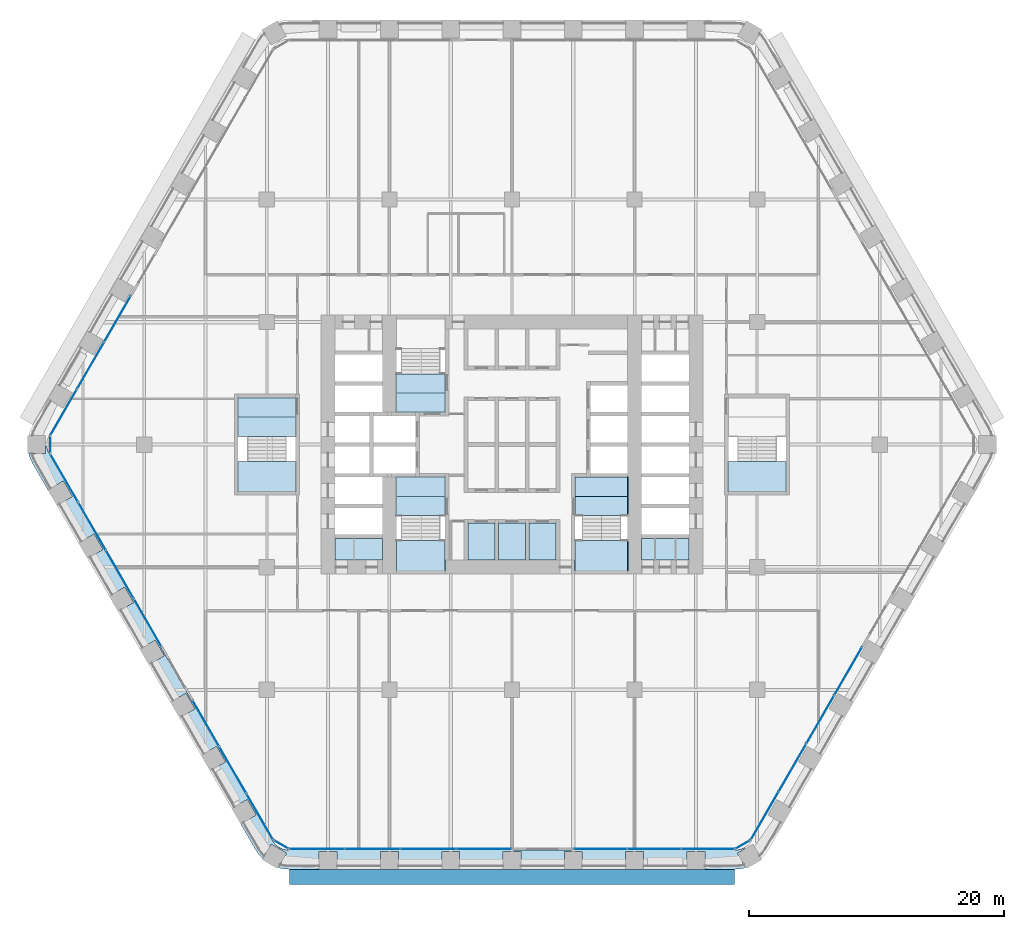
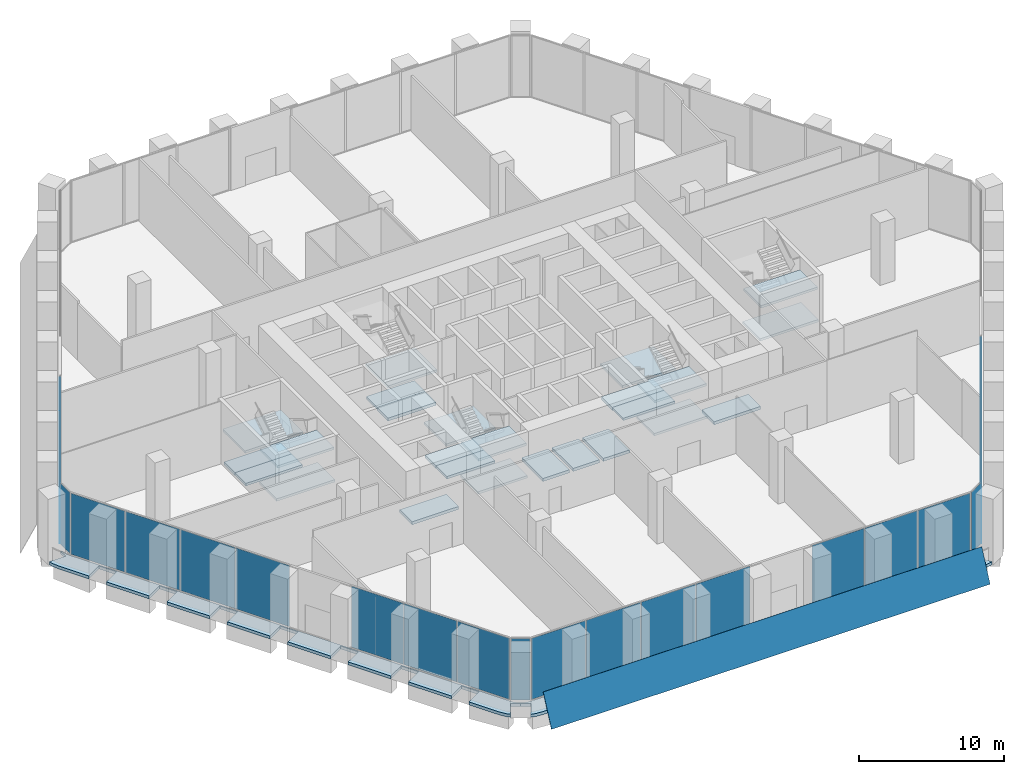
# One storey, part 15 of 27: 27 slabs, 25 plates, 14 elements without a shape of their own.
"""IFC4 building model written with IfcOpenShell, lengths in metres."""

import ifcopenshell
import ifcopenshell.guid

model = None  # the IFC model being written
_history = None  # IfcOwnerHistory: only IFC2X3 demands one
_inside = {}  # id of a spatial element -> (the spatial element, [elements in it])
_under = {}  # id of a project, library or spatial element -> (it, [spatial elements below it])
_declared = {}  # id of a project -> (the project, [libraries it declares])
_typed = {}  # id of a type object -> (the type object, [elements of that type])
_made_of = {}  # id of a material, layer set ... -> (it, [elements and type objects made of it])


def new_model(schema):
    """Start an empty IFC model of exactly this schema.

    Asked for "IFC4X3", IfcOpenShell would pick the latest addendum, in which some entities
    have other attributes; the version numbers below select the first issue.
    IFC2X3 requires an IfcOwnerHistory on every rooted entity: one is made here for all.
    """
    global model, _history
    if schema == "IFC4X3":
        model = ifcopenshell.file(schema_version=(4, 3, 0, 0))
    else:
        model = ifcopenshell.file(schema=schema)
    _inside.clear()
    _under.clear()
    _declared.clear()
    _typed.clear()
    _made_of.clear()
    _history = None
    if model.schema == "IFC2X3":
        org = make("IfcOrganization", Name="unknown")
        user = make(
            "IfcPersonAndOrganization",
            ThePerson=make("IfcPerson", FamilyName="unknown"),
            TheOrganization=org,
        )
        app = make(
            "IfcApplication",
            ApplicationDeveloper=org,
            Version="unknown",
            ApplicationFullName="unknown",
            ApplicationIdentifier="unknown",
        )
        _history = make(
            "IfcOwnerHistory",
            OwningUser=user,
            OwningApplication=app,
            ChangeAction="ADDED",
            CreationDate=0,
        )
    return model


def make(cls, **values):
    """One entity of the class cls with the attributes given. An attribute that is None is left unset."""
    return model.create_entity(
        cls, **{name: value for name, value in values.items() if value is not None}
    )


def rooted(cls, **values):
    """An entity with a GlobalId (a new one), such as an element, a storey or a relation."""
    return make(cls, GlobalId=ifcopenshell.guid.new(), OwnerHistory=_history, **values)


def si_unit(unit_type, name, prefix=None):
    """IfcSIUnit, for example si_unit("LENGTHUNIT", "METRE", prefix="MILLI")."""
    return make("IfcSIUnit", UnitType=unit_type, Prefix=prefix, Name=name)


def assignment(units):
    """IfcUnitAssignment: the units of a project."""
    return None if units is None else make("IfcUnitAssignment", Units=units)


def point(xyz):
    """IfcCartesianPoint."""
    return None if xyz is None else make("IfcCartesianPoint", Coordinates=xyz)


def direction(xyz):
    """IfcDirection."""
    return None if xyz is None else make("IfcDirection", DirectionRatios=xyz)


def frame(location, z_axis=None, x_axis=None):
    """IfcAxis2Placement3D, a coordinate frame: its origin and axes. An axis left out is left unset."""
    return make(
        "IfcAxis2Placement3D",
        Location=point(location),
        Axis=direction(z_axis),
        RefDirection=direction(x_axis),
    )


def frame_2d(location, x_axis=None):
    """IfcAxis2Placement2D, a coordinate frame in the plane: its origin and x axis."""
    return make(
        "IfcAxis2Placement2D", Location=point(location), RefDirection=direction(x_axis)
    )


def origin():
    """The frame at (0, 0, 0) with its axes left unset."""
    return frame((0.0, 0.0, 0.0))


def origin_2d():
    """The frame at (0, 0) in the plane with its x axis left unset."""
    return frame_2d((0.0, 0.0))


def place(relative_to, where):
    """IfcLocalPlacement: puts the frame where relative to a parent placement (None: the world)."""
    return make(
        "IfcLocalPlacement", PlacementRelTo=relative_to, RelativePlacement=where
    )


def context(
    kind, dimensions, precision=None, world=None, true_north=None, identifier=None
):
    """IfcGeometricRepresentationContext, for example the 3D "Model" context."""
    return make(
        "IfcGeometricRepresentationContext",
        ContextIdentifier=identifier,
        ContextType=kind,
        CoordinateSpaceDimension=dimensions,
        Precision=precision,
        WorldCoordinateSystem=world,
        TrueNorth=true_north,
    )


def subcontext(parent, identifier, kind, view, scale=None):
    """IfcGeometricRepresentationSubContext, for example "Body" below "Model"."""
    return make(
        "IfcGeometricRepresentationSubContext",
        ContextIdentifier=identifier,
        ContextType=kind,
        ParentContext=parent,
        TargetScale=scale,
        TargetView=view,
    )


def project(units=None, contexts=None):
    """IfcProject with its units and contexts."""
    return rooted(
        "IfcProject",
        Name="project",
        RepresentationContexts=contexts,
        UnitsInContext=assignment(units),
    )


def spatial(cls, under=None, at=None, **own):
    """A site, building, storey or space (cls), placed at a placement, below another one or the project."""
    s = rooted(cls, ObjectPlacement=at, **own)
    if under is not None:
        _under.setdefault(under.id(), (under, []))[1].append(s)
    return s


def polyline(points):
    """IfcPolyline through the points."""
    return make("IfcPolyline", Points=[point(p) for p in points])


def profile(cls, at=None, kind="AREA", **sizes):
    """A parametric profile (cls). Its sizes go by their IFC names, for example OverallWidth=200.0."""
    return make(cls, ProfileType=kind, Position=at, **sizes)


def rectangle(**sizes):
    """IfcRectangleProfileDef."""
    return profile("IfcRectangleProfileDef", **sizes)


def outline(outer, holes=None, kind="AREA"):
    """IfcArbitraryClosedProfileDef: a profile drawn as a closed curve; with holes, ...WithVoids."""
    if holes is None:
        return make("IfcArbitraryClosedProfileDef", ProfileType=kind, OuterCurve=outer)
    return make(
        "IfcArbitraryProfileDefWithVoids",
        ProfileType=kind,
        OuterCurve=outer,
        InnerCurves=holes,
    )


def extrude(swept, where, along, depth):
    """IfcExtrudedAreaSolid: the profile swept, set in the frame where, extruded along a direction by depth."""
    return make(
        "IfcExtrudedAreaSolid",
        SweptArea=swept,
        Position=where,
        ExtrudedDirection=direction(along),
        Depth=depth,
    )


def shape(context_of_items, identifier, shape_type, items):
    """IfcShapeRepresentation: the items that make up one representation, for example the "Body"."""
    return make(
        "IfcShapeRepresentation",
        ContextOfItems=context_of_items,
        RepresentationIdentifier=identifier,
        RepresentationType=shape_type,
        Items=items,
    )


def material(Name=None, Category=None):
    """IfcMaterial."""
    return make("IfcMaterial", Name=Name, Category=Category)


def layer(
    of_material, thickness, ventilated=None, Name=None, Category=None, Priority=None
):
    """IfcMaterialLayer: one layer of a wall or slab, of a material (None: an air gap)."""
    return make(
        "IfcMaterialLayer",
        Material=of_material,
        LayerThickness=thickness,
        IsVentilated=ventilated,
        Name=Name,
        Category=Category,
        Priority=Priority,
    )


def layer_set(layers, Name=None):
    """IfcMaterialLayerSet."""
    return make("IfcMaterialLayerSet", MaterialLayers=layers, LayerSetName=Name)


def made_of(thing, what):
    """Note that an element or type object is made of a material, layer set ...; save() writes the relation."""
    if what is not None:
        _made_of.setdefault(what.id(), (what, []))[1].append(thing)
    return thing


def type_object(cls, material=None, **own):
    """A type object (cls), such as IfcWallType, which elements share."""
    return made_of(rooted(cls, **own), material)


def element(
    cls,
    number,
    at=None,
    inside=None,
    cuts=None,
    type_object=None,
    material=None,
    context=None,
    identifier="Body",
    shape_type=None,
    held_by="IfcProductDefinitionShape",
    body=None,
    shapes=None,
    **own,
):
    """One element of the class cls, such as IfcWall. Its Tag is "e" and its number.

    at: its placement. inside: the storey or other place that contains it. cuts: it is an
    opening in that element (IfcRelVoidsElement). A single representation is given by context,
    identifier, shape_type and body (its items); several are given by shapes. held_by: the class
    of the entity that holds the representations. save() writes the other relations.
    """
    e = rooted(cls, Tag="e%d" % number, ObjectPlacement=at, **own)
    if body is not None:
        shapes = [shape(context, identifier, shape_type, body)]
    if shapes is not None:
        e.Representation = make(held_by, Representations=shapes)
    if inside is not None:
        _inside.setdefault(inside.id(), (inside, []))[1].append(e)
    if cuts is not None:
        rooted(
            "IfcRelVoidsElement", RelatingBuildingElement=cuts, RelatedOpeningElement=e
        )
    if type_object is not None:
        _typed.setdefault(type_object.id(), (type_object, []))[1].append(e)
    return made_of(e, material)


def aggregate(whole, parts):
    """IfcRelAggregates: a whole, such as a stair, and the parts it consists of."""
    return rooted("IfcRelAggregates", RelatingObject=whole, RelatedObjects=parts)


def save(model, path):
    """Write the relations noted so far, then the file.

    IfcRelAggregates (storeys below a building ...), IfcRelContainedInSpatialStructure (elements
    in a storey), IfcRelDefinesByType, IfcRelAssociatesMaterial and IfcRelDeclares: one each for
    every whole, place, type object, material and project.
    """
    for whole, parts in _under.values():
        aggregate(whole, parts)
    for where, things in _inside.values():
        rooted(
            "IfcRelContainedInSpatialStructure",
            RelatedElements=things,
            RelatingStructure=where,
        )
    for kind, things in _typed.values():
        rooted("IfcRelDefinesByType", RelatedObjects=things, RelatingType=kind)
    for what, things in _made_of.values():
        rooted("IfcRelAssociatesMaterial", RelatedObjects=things, RelatingMaterial=what)
    for by, libraries in _declared.values():
        rooted("IfcRelDeclares", RelatingContext=by, RelatedDefinitions=libraries)
    model.write(path)


model = new_model("IFC4")

# Units and contexts
model_context = context("Model", 3, precision=1e-05, world=origin(), true_north=direction((0.0, 1.0)))
body_context = subcontext(model_context, "Body", "Model", "MODEL_VIEW")
ifc_project = project(units=[si_unit("LENGTHUNIT", "METRE"), si_unit("AREAUNIT", "SQUARE_METRE"), si_unit("VOLUMEUNIT", "CUBIC_METRE"), si_unit("PLANEANGLEUNIT", "RADIAN"), si_unit("MASSUNIT", "GRAM", prefix="KILO")], contexts=[model_context])

# Site, building, storey
site_placement = place(None, origin())
site = spatial("IfcSite", under=ifc_project, at=site_placement, CompositionType="ELEMENT")
building_placement = place(site_placement, origin())
building = spatial("IfcBuilding", under=site, at=building_placement, Name="Kolab Exchange Tower", CompositionType="ELEMENT")
storey_placement = place(building_placement, frame((0.0, 0.0, 49.89990234375)))
storey = spatial("IfcBuildingStorey", under=building, at=storey_placement, Name="L09", CompositionType="ELEMENT", Elevation=49.89990234375)

# Slabs
ifc_material_1 = material(Name="Concrete C35/45", Category="concrete")
ifc_layer_1 = layer(ifc_material_1, 0.25)
ifc_layer_set_1 = layer_set([ifc_layer_1], Name="Concrete C35/45")
slab_type_1 = type_object("IfcSlabType", Name="FLOOR SLAB 250", PredefinedType="FLOOR", material=ifc_layer_set_1)
slab_1_placement = place(storey_placement, frame((0.0, 0.0, -0.25)))
element("IfcSlab", 1, at=slab_1_placement, inside=storey, type_object=slab_type_1, Name="slab/L09/floor/8", PredefinedType="FLOOR", context=body_context, shape_type="SweptSolid", body=[
    extrude(outline(polyline([(-21.449951171875, 3.64990234375), (-21.449951171875, 2.14990234375), (-16.949951171875, 2.14990234375), (-16.949951171875, 3.64990234375), (-21.449951171875, 3.64990234375)])), origin(), (0.0, 0.0, 1.0), 0.25),
])
slab_2_placement = place(storey_placement, frame((0.0, 0.0, -0.25)))
element("IfcSlab", 2, at=slab_2_placement, inside=storey, type_object=slab_type_1, Name="slab/L09/floor/10", PredefinedType="FLOOR", context=body_context, shape_type="SweptSolid", body=[
    extrude(outline(polyline([(-10.14990234375, -9.050048828125), (-10.14990234375, -7.35009765625), (-13.85009765625, -7.35009765625), (-13.85009765625, -9.050048828125), (-10.14990234375, -9.050048828125)])), origin(), (0.0, 0.0, 1.0), 0.25),
])
slab_3_placement = place(storey_placement, frame((0.0, 0.0, -0.25)))
element("IfcSlab", 3, at=slab_3_placement, inside=storey, type_object=slab_type_1, Name="slab/L09/floor/12", PredefinedType="FLOOR", context=body_context, shape_type="SweptSolid", body=[
    extrude(outline(polyline([(10.14990234375, -7.35009765625), (10.14990234375, -9.050048828125), (13.85009765625, -9.050048828125), (13.85009765625, -7.35009765625), (10.14990234375, -7.35009765625)])), origin(), (0.0, 0.0, 1.0), 0.25),
])
slab_4_placement = place(storey_placement, frame((0.0, 0.0, -0.25)))
element("IfcSlab", 4, at=slab_4_placement, inside=storey, type_object=slab_type_1, Name="slab/L09/floor/14", PredefinedType="FLOOR", context=body_context, shape_type="SweptSolid", body=[
    extrude(outline(polyline([(9.050048828125, -4.050048828125), (9.050048828125, -2.550048828125), (6.14990234375, -2.550048828125), (5.85009765625, -2.550048828125), (4.949951171875, -2.550048828125), (4.949951171875, -4.050048828125), (9.050048828125, -4.050048828125)])), origin(), (0.0, 0.0, 1.0), 0.25),
])
slab_5_placement = place(storey_placement, frame((0.0, 0.0, -0.25)))
element("IfcSlab", 5, at=slab_5_placement, inside=storey, type_object=slab_type_1, Name="slab/L09/floor/15", PredefinedType="FLOOR", context=body_context, shape_type="SweptSolid", body=[
    extrude(outline(polyline([(1.050048828125, -6.14990234375), (-1.050048828125, -6.14990234375), (-1.050048828125, -9.050048828125), (1.050048828125, -9.050048828125), (1.050048828125, -6.14990234375)])), origin(), (0.0, 0.0, 1.0), 0.25),
])
slab_6_placement = place(storey_placement, frame((0.0, 0.0, -0.25)))
element("IfcSlab", 6, at=slab_6_placement, inside=storey, type_object=slab_type_1, Name="slab/L09/floor/17", PredefinedType="FLOOR", context=body_context, shape_type="SweptSolid", body=[
    extrude(outline(polyline([(-1.35009765625, -6.14990234375), (-3.449951171875, -6.14990234375), (-3.449951171875, -9.050048828125), (-1.35009765625, -9.050048828125), (-1.35009765625, -6.14990234375)])), origin(), (0.0, 0.0, 1.0), 0.25),
])
slab_7_placement = place(storey_placement, frame((0.0, 0.0, -0.25)))
element("IfcSlab", 7, at=slab_7_placement, inside=storey, type_object=slab_type_1, Name="slab/L09/floor/19", PredefinedType="FLOOR", context=body_context, shape_type="SweptSolid", body=[
    extrude(outline(polyline([(1.35009765625, -6.14990234375), (1.35009765625, -9.050048828125), (3.449951171875, -9.050048828125), (3.449951171875, -6.14990234375), (1.35009765625, -6.14990234375)])), origin(), (0.0, 0.0, 1.0), 0.25),
])
slab_8_placement = place(storey_placement, frame((0.0, 0.0, -0.25)))
element("IfcSlab", 8, at=slab_8_placement, inside=storey, type_object=slab_type_1, Name="slab/L09/floor/21", PredefinedType="FLOOR", context=body_context, shape_type="SweptSolid", body=[
    extrude(outline(polyline([(-9.050048828125, -4.050048828125), (-5.25, -4.050048828125), (-5.25, -2.550048828125), (-7.25, -2.550048828125), (-7.550048828125, -2.550048828125), (-9.050048828125, -2.550048828125), (-9.050048828125, -4.050048828125)])), origin(), (0.0, 0.0, 1.0), 0.25),
])
slab_9_placement = place(storey_placement, frame((0.0, 0.0, -0.25)))
element("IfcSlab", 9, at=slab_9_placement, inside=storey, type_object=slab_type_1, Name="slab/L09/floor/22", PredefinedType="FLOOR", context=body_context, shape_type="SweptSolid", body=[
    extrude(outline(polyline([(-5.25, 4.050048828125), (-9.050048828125, 4.050048828125), (-9.050048828125, 2.550048828125), (-7.550048828125, 2.550048828125), (-7.25, 2.550048828125), (-5.25, 2.550048828125), (-5.25, 4.050048828125)])), origin(), (0.0, 0.0, 1.0), 0.25),
])
ifc_layer_2 = layer(ifc_material_1, 0.25)
ifc_layer_set_2 = layer_set([ifc_layer_2], Name="Concrete C35/45")
slab_type_2 = type_object("IfcSlabType", Name="LOGGIA SLAB 250", PredefinedType="FLOOR", material=ifc_layer_set_2)
slab_10_placement = place(storey_placement, frame((0.0, 0.0, -0.25)))
element("IfcSlab", 10, at=slab_10_placement, inside=storey, type_object=slab_type_2, Name="slab/L09/loggia/3-0", PredefinedType="FLOOR", context=body_context, shape_type="SweptSolid", body=[
    extrude(outline(polyline([(-18.218017578125, -31.554443359375), (-18.26806640625, -31.64111328125), (-17.66162109375, -31.990966796875), (-18.31494140625, -33.122314453125), (-17.989013671875, -33.209716796875), (-17.468017578125, -33.25537109375), (-15.10009765625, -33.25537109375), (-15.10009765625, -31.85546875), (-13.699951171875, -31.85546875), (-13.699951171875, -33.25537109375), (-10.300048828125, -33.25537109375), (-10.300048828125, -31.85546875), (-8.89990234375, -31.85546875), (-8.89990234375, -33.25537109375), (-5.5, -33.25537109375), (-5.5, -31.85546875), (-4.10009765625, -31.85546875), (-4.10009765625, -33.25537109375), (-0.699951171875, -33.25537109375), (-0.699951171875, -31.85546875), (0.699951171875, -31.85546875), (0.699951171875, -33.25537109375), (4.10009765625, -33.25537109375), (4.10009765625, -31.85546875), (5.5, -31.85546875), (5.5, -33.25537109375), (8.89990234375, -33.25537109375), (8.89990234375, -31.85546875), (10.300048828125, -31.85546875), (10.300048828125, -33.25537109375), (13.699951171875, -33.25537109375), (13.699951171875, -31.85546875), (15.10009765625, -31.85546875), (15.10009765625, -33.25537109375), (17.468017578125, -33.25537109375), (17.989013671875, -33.209716796875), (18.31494140625, -33.122314453125), (17.66162109375, -31.990966796875), (18.26806640625, -31.64111328125), (18.218017578125, -31.554443359375), (17.98095703125, -31.664794921875), (17.728515625, -31.732666015625), (17.468017578125, -31.75537109375), (-17.468017578125, -31.75537109375), (-17.728515625, -31.732666015625), (-17.98095703125, -31.664794921875), (-18.218017578125, -31.554443359375)])), origin(), (0.0, 0.0, 1.0), 0.25),
])
slab_11_placement = place(storey_placement, frame((0.0, 0.0, -0.25)))
element("IfcSlab", 11, at=slab_11_placement, inside=storey, type_object=slab_type_2, Name="slab/L09/loggia/4-0", PredefinedType="FLOOR", context=body_context, shape_type="SweptSolid", body=[
    extrude(outline(polyline([(-36.435791015625, 0.0), (-36.535888671875, 0.0), (-36.535888671875, -0.699951171875), (-37.84228515625, -0.699951171875), (-37.7548828125, -1.026123046875), (-37.533935546875, -1.5), (-36.35009765625, -3.55078125), (-35.137451171875, -2.8505859375), (-34.4375, -4.063232421875), (-35.64990234375, -4.76318359375), (-33.949951171875, -7.70751953125), (-32.737548828125, -7.007568359375), (-32.03759765625, -8.219970703125), (-33.25, -8.920166015625), (-31.550048828125, -11.864501953125), (-30.337646484375, -11.16455078125), (-29.637451171875, -12.376953125), (-30.85009765625, -13.076904296875), (-29.14990234375, -16.021484375), (-27.9375, -15.321533203125), (-27.237548828125, -16.533935546875), (-28.449951171875, -17.23388671875), (-26.75, -20.178466796875), (-25.53759765625, -19.478271484375), (-24.837646484375, -20.69091796875), (-26.050048828125, -21.390869140625), (-24.35009765625, -24.335205078125), (-23.137451171875, -23.63525390625), (-22.4375, -24.84765625), (-23.64990234375, -25.5478515625), (-21.949951171875, -28.4921875), (-20.737548828125, -27.792236328125), (-20.03759765625, -29.004638671875), (-21.25, -29.70458984375), (-20.06591796875, -31.75537109375), (-19.76611328125, -32.183837890625), (-19.52734375, -32.42236328125), (-18.874267578125, -31.291015625), (-18.26806640625, -31.64111328125), (-18.218017578125, -31.554443359375), (-18.43212890625, -31.404541015625), (-18.616943359375, -31.219482421875), (-18.76708984375, -31.00537109375), (-36.23486328125, -0.75), (-36.345458984375, -0.512939453125), (-36.4130859375, -0.260498046875), (-36.435791015625, 0.0)])), origin(), (0.0, 0.0, 1.0), 0.25),
])

# Plate
ifc_material_2 = material(Name="Laminated glass, clear", Category="glass")
ifc_layer_3 = layer(ifc_material_2, 0.0400390625)
ifc_layer_set_3 = layer_set([ifc_layer_3], Name="Laminated glass, clear")
plate_type_1 = type_object("IfcPlateType", Name="OUTER SKIN LAMINATED GLASS SHEET 40", PredefinedType="SHEET", material=ifc_layer_set_3)
plate_1_placement = place(storey_placement, frame((17.41796875, -34.435302734375, -0.782958984375), z_axis=(0.0, -0.906309875243, 0.422613783538), x_axis=(-1.0, 0.0, 0.0)))
element("IfcPlate", 12, at=plate_1_placement, inside=storey, type_object=plate_type_1, Name="Outer skin", PredefinedType="SHEET", context=body_context, shape_type="SweptSolid", body=[
    extrude(outline(polyline([(0.0, 0.0), (34.8359375, 0.0), (34.8359375, -2.7059095846952848), (0.0, -2.7059095846952848), (0.0, 0.0)])), origin(), (0.0, 0.0, -1.0), 0.0400390625),
])

# Stair, slabs
ifc_material_3 = material(Name="Concrete C50/60", Category="concrete")
stair_type_1 = type_object("IfcStairType", Name="STAIR ST1 RISER 171.9", PredefinedType="DOUBLE_RETURN_STAIR", material=ifc_material_3)
stair_1_placement = place(storey_placement, origin())
stair_1 = element("IfcStair", 13, at=stair_1_placement, inside=storey, type_object=stair_type_1, Name="Stair 1", PredefinedType="DOUBLE_RETURN_STAIR")
ifc_layer_4 = layer(ifc_material_3, 0.199951171875)
ifc_layer_set_4 = layer_set([ifc_layer_4], Name="Concrete C50/60")
slab_type_3 = type_object("IfcSlabType", Name="STAIR LANDING 200", PredefinedType="LANDING", material=ifc_layer_set_4)
slab_12_placement = place(storey_placement, frame((0.0, 0.0, -0.199951171875)))
slab_12 = element("IfcSlab", 14, at=slab_12_placement, type_object=slab_type_3, Name="ST1 landing 1", PredefinedType="LANDING", context=body_context, shape_type="SweptSolid", body=[
    extrude(outline(polyline([(-9.050048828125, 4.050048828125), (-5.25, 4.050048828125), (-5.25, 5.550048828125), (-9.050048828125, 5.550048828125), (-9.050048828125, 4.050048828125)])), origin(), (0.0, 0.0, 1.0), 0.199951171875),
])
slab_13_placement = place(storey_placement, frame((0.0, 0.0, 2.550048828125)))
slab_13 = element("IfcSlab", 15, at=slab_13_placement, type_object=slab_type_3, Name="ST1 landing 3", PredefinedType="LANDING", context=body_context, shape_type="SweptSolid", body=[
    extrude(outline(polyline([(-9.110107421875, 2.489990234375), (-5.18994140625, 2.489990234375), (-5.18994140625, 5.550048828125), (-9.110107421875, 5.550048828125), (-9.110107421875, 2.489990234375)])), origin(), (0.0, 0.0, 1.0), 0.199951171875),
])
aggregate(stair_1, [slab_12, slab_13])

stair_type_2 = type_object("IfcStairType", Name="STAIR ST3 RISER 171.9", PredefinedType="DOUBLE_RETURN_STAIR", material=ifc_material_3)
stair_2_placement = place(storey_placement, origin())
stair_2 = element("IfcStair", 16, at=stair_2_placement, inside=storey, type_object=stair_type_2, Name="Stair 3", PredefinedType="DOUBLE_RETURN_STAIR")
slab_14_placement = place(storey_placement, frame((0.0, 0.0, -0.199951171875)))
slab_14 = element("IfcSlab", 17, at=slab_14_placement, type_object=slab_type_3, Name="ST3 landing 1", PredefinedType="LANDING", context=body_context, shape_type="SweptSolid", body=[
    extrude(outline(polyline([(-9.050048828125, -5.550048828125), (-5.25, -5.550048828125), (-5.25, -4.050048828125), (-9.050048828125, -4.050048828125), (-9.050048828125, -5.550048828125)])), origin(), (0.0, 0.0, 1.0), 0.199951171875),
])
slab_15_placement = place(storey_placement, frame((0.0, 0.0, 1.175048828125)))
slab_15 = element("IfcSlab", 18, at=slab_15_placement, type_object=slab_type_3, Name="ST3 landing 2", PredefinedType="LANDING", context=body_context, shape_type="SweptSolid", body=[
    extrude(outline(polyline([(-9.110107421875, -9.909912109375), (-5.18994140625, -9.909912109375), (-5.18994140625, -7.510009765625), (-9.110107421875, -7.510009765625), (-9.110107421875, -9.909912109375)])), origin(), (0.0, 0.0, 1.0), 0.199951171875),
])
slab_16_placement = place(storey_placement, frame((0.0, 0.0, 2.550048828125)))
slab_16 = element("IfcSlab", 19, at=slab_16_placement, type_object=slab_type_3, Name="ST3 landing 3", PredefinedType="LANDING", context=body_context, shape_type="SweptSolid", body=[
    extrude(outline(polyline([(-9.110107421875, -5.550048828125), (-5.18994140625, -5.550048828125), (-5.18994140625, -2.489990234375), (-9.110107421875, -2.489990234375), (-9.110107421875, -5.550048828125)])), origin(), (0.0, 0.0, 1.0), 0.199951171875),
])
slab_17_placement = place(storey_placement, frame((0.0, 0.0, 3.925048828125)))
slab_17 = element("IfcSlab", 20, at=slab_17_placement, type_object=slab_type_3, Name="ST3 landing 4", PredefinedType="LANDING", context=body_context, shape_type="SweptSolid", body=[
    extrude(outline(polyline([(-9.050048828125, -9.909912109375), (-5.25, -9.909912109375), (-5.25, -7.510009765625), (-9.050048828125, -7.510009765625), (-9.050048828125, -9.909912109375)])), origin(), (0.0, 0.0, 1.0), 0.199951171875),
])
aggregate(stair_2, [slab_14, slab_15, slab_16, slab_17])

stair_type_3 = type_object("IfcStairType", Name="STAIR ST2 RISER 171.9", PredefinedType="DOUBLE_RETURN_STAIR", material=ifc_material_3)
stair_3_placement = place(storey_placement, origin())
stair_3 = element("IfcStair", 21, at=stair_3_placement, inside=storey, type_object=stair_type_3, Name="Stair 2", PredefinedType="DOUBLE_RETURN_STAIR")
slab_18_placement = place(storey_placement, frame((0.0, 0.0, -0.199951171875)))
slab_18 = element("IfcSlab", 22, at=slab_18_placement, type_object=slab_type_3, Name="ST2 landing 1", PredefinedType="LANDING", context=body_context, shape_type="SweptSolid", body=[
    extrude(outline(polyline([(4.949951171875, -5.550048828125), (9.050048828125, -5.550048828125), (9.050048828125, -4.050048828125), (4.949951171875, -4.050048828125), (4.949951171875, -5.550048828125)])), origin(), (0.0, 0.0, 1.0), 0.199951171875),
])
slab_19_placement = place(storey_placement, frame((0.0, 0.0, 1.175048828125)))
slab_19 = element("IfcSlab", 23, at=slab_19_placement, type_object=slab_type_3, Name="ST2 landing 2", PredefinedType="LANDING", context=body_context, shape_type="SweptSolid", body=[
    extrude(outline(polyline([(4.889892578125, -9.909912109375), (9.110107421875, -9.909912109375), (9.110107421875, -7.510009765625), (4.889892578125, -7.510009765625), (4.889892578125, -9.909912109375)])), origin(), (0.0, 0.0, 1.0), 0.199951171875),
])
slab_20_placement = place(storey_placement, frame((0.0, 0.0, 2.550048828125)))
slab_20 = element("IfcSlab", 24, at=slab_20_placement, type_object=slab_type_3, Name="ST2 landing 3", PredefinedType="LANDING", context=body_context, shape_type="SweptSolid", body=[
    extrude(outline(polyline([(4.889892578125, -5.550048828125), (9.110107421875, -5.550048828125), (9.110107421875, -2.489990234375), (4.889892578125, -2.489990234375), (4.889892578125, -5.550048828125)])), origin(), (0.0, 0.0, 1.0), 0.199951171875),
])
slab_21_placement = place(storey_placement, frame((0.0, 0.0, 3.925048828125)))
slab_21 = element("IfcSlab", 25, at=slab_21_placement, type_object=slab_type_3, Name="ST2 landing 4", PredefinedType="LANDING", context=body_context, shape_type="SweptSolid", body=[
    extrude(outline(polyline([(4.949951171875, -9.909912109375), (9.050048828125, -9.909912109375), (9.050048828125, -7.510009765625), (4.949951171875, -7.510009765625), (4.949951171875, -9.909912109375)])), origin(), (0.0, 0.0, 1.0), 0.199951171875),
])
aggregate(stair_3, [slab_18, slab_19, slab_20, slab_21])

stair_type_4 = type_object("IfcStairType", Name="STAIR ST4 RISER 171.9", PredefinedType="DOUBLE_RETURN_STAIR", material=ifc_material_3)
stair_4_placement = place(storey_placement, origin())
stair_4 = element("IfcStair", 26, at=stair_4_placement, inside=storey, type_object=stair_type_4, Name="Stair 4", PredefinedType="DOUBLE_RETURN_STAIR")
slab_22_placement = place(storey_placement, frame((0.0, 0.0, 1.175048828125)))
slab_22 = element("IfcSlab", 27, at=slab_22_placement, type_object=slab_type_3, Name="ST4 landing 2", PredefinedType="LANDING", context=body_context, shape_type="SweptSolid", body=[
    extrude(outline(polyline([(16.889892578125, -3.7099609375), (21.510009765625, -3.7099609375), (21.510009765625, -1.31005859375), (16.889892578125, -1.31005859375), (16.889892578125, -3.7099609375)])), origin(), (0.0, 0.0, 1.0), 0.199951171875),
])
slab_23_placement = place(storey_placement, frame((0.0, 0.0, 3.925048828125)))
slab_23 = element("IfcSlab", 28, at=slab_23_placement, type_object=slab_type_3, Name="ST4 landing 4", PredefinedType="LANDING", context=body_context, shape_type="SweptSolid", body=[
    extrude(outline(polyline([(16.949951171875, -3.7099609375), (21.449951171875, -3.7099609375), (21.449951171875, -1.31005859375), (16.949951171875, -1.31005859375), (16.949951171875, -3.7099609375)])), origin(), (0.0, 0.0, 1.0), 0.199951171875),
])
aggregate(stair_4, [slab_22, slab_23])

stair_type_5 = type_object("IfcStairType", Name="STAIR ST5 RISER 171.9", PredefinedType="DOUBLE_RETURN_STAIR", material=ifc_material_3)
stair_5_placement = place(storey_placement, origin())
stair_5 = element("IfcStair", 29, at=stair_5_placement, inside=storey, type_object=stair_type_5, Name="Stair 5", PredefinedType="DOUBLE_RETURN_STAIR")
slab_24_placement = place(storey_placement, frame((0.0, 0.0, -0.199951171875)))
slab_24 = element("IfcSlab", 30, at=slab_24_placement, type_object=slab_type_3, Name="ST5 landing 1", PredefinedType="LANDING", context=body_context, shape_type="SweptSolid", body=[
    extrude(outline(polyline([(-21.449951171875, 0.64990234375), (-16.949951171875, 0.64990234375), (-16.949951171875, 2.14990234375), (-21.449951171875, 2.14990234375), (-21.449951171875, 0.64990234375)])), origin(), (0.0, 0.0, 1.0), 0.199951171875),
])
slab_25_placement = place(storey_placement, frame((0.0, 0.0, 1.175048828125)))
slab_25 = element("IfcSlab", 31, at=slab_25_placement, type_object=slab_type_3, Name="ST5 landing 2", PredefinedType="LANDING", context=body_context, shape_type="SweptSolid", body=[
    extrude(outline(polyline([(-21.510009765625, -3.7099609375), (-16.889892578125, -3.7099609375), (-16.889892578125, -1.31005859375), (-21.510009765625, -1.31005859375), (-21.510009765625, -3.7099609375)])), origin(), (0.0, 0.0, 1.0), 0.199951171875),
])
slab_26_placement = place(storey_placement, frame((0.0, 0.0, 2.550048828125)))
slab_26 = element("IfcSlab", 32, at=slab_26_placement, type_object=slab_type_3, Name="ST5 landing 3", PredefinedType="LANDING", context=body_context, shape_type="SweptSolid", body=[
    extrude(outline(polyline([(-21.510009765625, 0.64990234375), (-16.889892578125, 0.64990234375), (-16.889892578125, 3.7099609375), (-21.510009765625, 3.7099609375), (-21.510009765625, 0.64990234375)])), origin(), (0.0, 0.0, 1.0), 0.199951171875),
])
slab_27_placement = place(storey_placement, frame((0.0, 0.0, 3.925048828125)))
slab_27 = element("IfcSlab", 33, at=slab_27_placement, type_object=slab_type_3, Name="ST5 landing 4", PredefinedType="LANDING", context=body_context, shape_type="SweptSolid", body=[
    extrude(outline(polyline([(-21.449951171875, -3.7099609375), (-16.949951171875, -3.7099609375), (-16.949951171875, -1.31005859375), (-21.449951171875, -1.31005859375), (-21.449951171875, -3.7099609375)])), origin(), (0.0, 0.0, 1.0), 0.199951171875),
])
aggregate(stair_5, [slab_24, slab_25, slab_26, slab_27])

# Curtain wall, plates
ifc_material_4 = material(Name="Aluminium EN AW-6063 T6", Category="aluminium")
curtain_wall_type = type_object("IfcCurtainWallType", Name="UNITISED LOW ZONE CURTAIN WALL", PredefinedType="NOTDEFINED", material=ifc_material_4)
curtain_wall_1_placement = place(storey_placement, origin())
curtain_wall_1 = element("IfcCurtainWall", 34, at=curtain_wall_1_placement, inside=storey, type_object=curtain_wall_type, Name="cw/L09/F3-2", PredefinedType="NOTDEFINED")
ifc_material_5 = material(Name="Clear insulated glazing unit", Category="glass")
ifc_layer_5 = layer(ifc_material_5, 0.02392578125)
ifc_layer_set_5 = layer_set([ifc_layer_5], Name="Clear insulated glazing unit")
plate_type_2 = type_object("IfcPlateType", Name="UNITISED LOW ZONE GLASS PANEL 24", PredefinedType="CURTAIN_PANEL", material=ifc_layer_set_5)
plate_2_placement = place(storey_placement, frame((26.33251953125, -17.74169921875, 0.06005859375), z_axis=(0.0, 0.0, 1.0), x_axis=(-0.5000000112, -0.866025397318, 0.0)))
plate_2 = element("IfcPlate", 35, at=plate_2_placement, type_object=plate_type_2, Name="CW1 panel 1.1", PredefinedType="CURTAIN_PANEL", context=body_context, shape_type="SweptSolid", body=[
    extrude(rectangle(XDim=4.277099609375, YDim=0.02392578125, at=origin_2d()), origin(), (0.0, 0.0, 1.0), 5.1298828125),
])
plate_3_placement = place(storey_placement, frame((24.156494140625, -21.510498046875, 0.06005859375), z_axis=(0.0, 0.0, 1.0), x_axis=(-0.5000000112, -0.866025397318, 0.0)))
plate_3 = element("IfcPlate", 36, at=plate_3_placement, type_object=plate_type_2, Name="CW1 panel 2.1", PredefinedType="CURTAIN_PANEL", context=body_context, shape_type="SweptSolid", body=[
    extrude(rectangle(XDim=4.306884765625, YDim=0.02392578125, at=origin_2d()), origin(), (0.0, 0.0, 1.0), 5.1298828125),
])
plate_4_placement = place(storey_placement, frame((21.972900390625, -25.29248046875, 0.06005859375), z_axis=(0.0, 0.0, 1.0), x_axis=(-0.5000000112, -0.866025397318, 0.0)))
plate_4 = element("IfcPlate", 37, at=plate_4_placement, type_object=plate_type_2, Name="CW1 panel 3.1", PredefinedType="CURTAIN_PANEL", context=body_context, shape_type="SweptSolid", body=[
    extrude(rectangle(XDim=4.306884765625, YDim=0.02392578125, at=origin_2d()), origin(), (0.0, 0.0, 1.0), 5.1298828125),
])
plate_5_placement = place(storey_placement, frame((19.796875, -29.0615234375, 0.06005859375), z_axis=(0.0, 0.0, 1.0), x_axis=(-0.5000000112, -0.866025397318, 0.0)))
plate_5 = element("IfcPlate", 38, at=plate_5_placement, type_object=plate_type_2, Name="CW1 panel 4.1", PredefinedType="CURTAIN_PANEL", context=body_context, shape_type="SweptSolid", body=[
    extrude(rectangle(XDim=4.277099609375, YDim=0.02392578125, at=origin_2d()), origin(), (0.0, 0.0, 1.0), 5.1298828125),
])
aggregate(curtain_wall_1, [plate_2, plate_3, plate_4, plate_5])

curtain_wall_2_placement = place(storey_placement, origin())
curtain_wall_2 = element("IfcCurtainWall", 39, at=curtain_wall_2_placement, inside=storey, type_object=curtain_wall_type, Name="cw/L09/F4-1", PredefinedType="NOTDEFINED")
plate_6_placement = place(storey_placement, frame((15.341552734375, -31.67529296875, 0.06005859375), z_axis=(0.0, 0.0, 1.0), x_axis=(-1.0, 0.0, 0.0)))
plate_6 = element("IfcPlate", 40, at=plate_6_placement, type_object=plate_type_2, Name="CW1 panel 1.1", PredefinedType="CURTAIN_PANEL", context=body_context, shape_type="SweptSolid", body=[
    extrude(rectangle(XDim=4.132568359375, YDim=0.02392578125, at=origin_2d()), origin(), (0.0, 0.0, 1.0), 5.1298828125),
])
plate_7_placement = place(storey_placement, frame((11.134033203125, -31.67529296875, 0.06005859375), z_axis=(0.0, 0.0, 1.0), x_axis=(-1.0, 0.0, 0.0)))
plate_7 = element("IfcPlate", 41, at=plate_7_placement, type_object=plate_type_2, Name="CW1 panel 2.1", PredefinedType="CURTAIN_PANEL", context=body_context, shape_type="SweptSolid", body=[
    extrude(rectangle(XDim=4.16259765625, YDim=0.02392578125, at=origin_2d()), origin(), (0.0, 0.0, 1.0), 5.1298828125),
])
plate_8_placement = place(storey_placement, frame((6.92626953125, -31.67529296875, 0.06005859375), z_axis=(0.0, 0.0, 1.0), x_axis=(-1.0, 0.0, 0.0)))
plate_8 = element("IfcPlate", 42, at=plate_8_placement, type_object=plate_type_2, Name="CW1 panel 3.1", PredefinedType="CURTAIN_PANEL", context=body_context, shape_type="SweptSolid", body=[
    extrude(rectangle(XDim=4.132568359375, YDim=0.02392578125, at=origin_2d()), origin(), (0.0, 0.0, 1.0), 5.1298828125),
])
aggregate(curtain_wall_2, [plate_6, plate_7, plate_8])

curtain_wall_3_placement = place(storey_placement, origin())
curtain_wall_3 = element("IfcCurtainWall", 43, at=curtain_wall_3_placement, inside=storey, type_object=curtain_wall_type, Name="cw/L09/F4-2", PredefinedType="NOTDEFINED")
plate_9_placement = place(storey_placement, frame((-2.198486328125, -31.67529296875, 0.06005859375), z_axis=(0.0, 0.0, 1.0), x_axis=(-1.0, 0.0, 0.0)))
plate_9 = element("IfcPlate", 44, at=plate_9_placement, type_object=plate_type_2, Name="CW1 panel 1.1", PredefinedType="CURTAIN_PANEL", context=body_context, shape_type="SweptSolid", body=[
    extrude(rectangle(XDim=4.277099609375, YDim=0.02392578125, at=origin_2d()), origin(), (0.0, 0.0, 1.0), 5.1298828125),
])
plate_10_placement = place(storey_placement, frame((-6.550537109375, -31.67529296875, 0.06005859375), z_axis=(0.0, 0.0, 1.0), x_axis=(-1.0, 0.0, 0.0)))
plate_10 = element("IfcPlate", 45, at=plate_10_placement, type_object=plate_type_2, Name="CW1 panel 2.1", PredefinedType="CURTAIN_PANEL", context=body_context, shape_type="SweptSolid", body=[
    extrude(rectangle(XDim=4.306884765625, YDim=0.02392578125, at=origin_2d()), origin(), (0.0, 0.0, 1.0), 5.1298828125),
])
plate_11_placement = place(storey_placement, frame((-10.91748046875, -31.67529296875, 0.06005859375), z_axis=(0.0, 0.0, 1.0), x_axis=(-1.0, 0.0, 0.0)))
plate_11 = element("IfcPlate", 46, at=plate_11_placement, type_object=plate_type_2, Name="CW1 panel 3.1", PredefinedType="CURTAIN_PANEL", context=body_context, shape_type="SweptSolid", body=[
    extrude(rectangle(XDim=4.306884765625, YDim=0.02392578125, at=origin_2d()), origin(), (0.0, 0.0, 1.0), 5.1298828125),
])
plate_12_placement = place(storey_placement, frame((-15.26953125, -31.67529296875, 0.06005859375), z_axis=(0.0, 0.0, 1.0), x_axis=(-1.0, 0.0, 0.0)))
plate_12 = element("IfcPlate", 47, at=plate_12_placement, type_object=plate_type_2, Name="CW1 panel 4.1", PredefinedType="CURTAIN_PANEL", context=body_context, shape_type="SweptSolid", body=[
    extrude(rectangle(XDim=4.277099609375, YDim=0.02392578125, at=origin_2d()), origin(), (0.0, 0.0, 1.0), 5.1298828125),
])
aggregate(curtain_wall_3, [plate_9, plate_10, plate_11, plate_12])

curtain_wall_4_placement = place(storey_placement, origin())
curtain_wall_4 = element("IfcCurtainWall", 48, at=curtain_wall_4_placement, inside=storey, type_object=curtain_wall_type, Name="cw/L09/F5-1", PredefinedType="NOTDEFINED")
plate_13_placement = place(storey_placement, frame((-19.760986328125, -29.1240234375, 0.06005859375), z_axis=(0.0, 0.0, 1.0), x_axis=(-0.500000017564, 0.866025393644, 0.0)))
plate_13 = element("IfcPlate", 49, at=plate_13_placement, type_object=plate_type_2, Name="CW1 panel 1.1", PredefinedType="CURTAIN_PANEL", context=body_context, shape_type="SweptSolid", body=[
    extrude(rectangle(XDim=4.132568359375, YDim=0.02392578125, at=origin_2d()), origin(), (0.0, 0.0, 1.0), 5.1298828125),
])
plate_14_placement = place(storey_placement, frame((-21.86474609375, -25.47998046875, 0.06005859375), z_axis=(0.0, 0.0, 1.0), x_axis=(-0.500000017564, 0.866025393644, 0.0)))
plate_14 = element("IfcPlate", 50, at=plate_14_placement, type_object=plate_type_2, Name="CW1 panel 2.1", PredefinedType="CURTAIN_PANEL", context=body_context, shape_type="SweptSolid", body=[
    extrude(rectangle(XDim=4.16259765625, YDim=0.02392578125, at=origin_2d()), origin(), (0.0, 0.0, 1.0), 5.1298828125),
])
plate_15_placement = place(storey_placement, frame((-23.968505859375, -21.836181640625, 0.06005859375), z_axis=(0.0, 0.0, 1.0), x_axis=(-0.500000017564, 0.866025393644, 0.0)))
plate_15 = element("IfcPlate", 51, at=plate_15_placement, type_object=plate_type_2, Name="CW1 panel 3.1", PredefinedType="CURTAIN_PANEL", context=body_context, shape_type="SweptSolid", body=[
    extrude(rectangle(XDim=4.132568359375, YDim=0.02392578125, at=origin_2d()), origin(), (0.0, 0.0, 1.0), 5.1298828125),
])
aggregate(curtain_wall_4, [plate_13, plate_14, plate_15])

curtain_wall_5_placement = place(storey_placement, origin())
curtain_wall_5 = element("IfcCurtainWall", 52, at=curtain_wall_5_placement, inside=storey, type_object=curtain_wall_type, Name="cw/L09/F5-2", PredefinedType="NOTDEFINED")
plate_16_placement = place(storey_placement, frame((-28.531005859375, -13.933837890625, 0.06005859375), z_axis=(0.0, 0.0, 1.0), x_axis=(-0.499999968274, 0.866025422102, 0.0)))
plate_16 = element("IfcPlate", 53, at=plate_16_placement, type_object=plate_type_2, Name="CW1 panel 1.1", PredefinedType="CURTAIN_PANEL", context=body_context, shape_type="SweptSolid", body=[
    extrude(rectangle(XDim=4.277099609375, YDim=0.02392578125, at=origin_2d()), origin(), (0.0, 0.0, 1.0), 5.1298828125),
])
plate_17_placement = place(storey_placement, frame((-30.70703125, -10.164794921875, 0.06005859375), z_axis=(0.0, 0.0, 1.0), x_axis=(-0.499999968274, 0.866025422102, 0.0)))
plate_17 = element("IfcPlate", 54, at=plate_17_placement, type_object=plate_type_2, Name="CW1 panel 2.1", PredefinedType="CURTAIN_PANEL", context=body_context, shape_type="SweptSolid", body=[
    extrude(rectangle(XDim=4.306884765625, YDim=0.02392578125, at=origin_2d()), origin(), (0.0, 0.0, 1.0), 5.1298828125),
])
plate_18_placement = place(storey_placement, frame((-32.890380859375, -6.3828125, 0.06005859375), z_axis=(0.0, 0.0, 1.0), x_axis=(-0.499999968274, 0.866025422102, 0.0)))
plate_18 = element("IfcPlate", 55, at=plate_18_placement, type_object=plate_type_2, Name="CW1 panel 3.1", PredefinedType="CURTAIN_PANEL", context=body_context, shape_type="SweptSolid", body=[
    extrude(rectangle(XDim=4.306884765625, YDim=0.02392578125, at=origin_2d()), origin(), (0.0, 0.0, 1.0), 5.1298828125),
])
plate_19_placement = place(storey_placement, frame((-35.06640625, -2.614013671875, 0.06005859375), z_axis=(0.0, 0.0, 1.0), x_axis=(-0.499999968274, 0.866025422102, 0.0)))
plate_19 = element("IfcPlate", 56, at=plate_19_placement, type_object=plate_type_2, Name="CW1 panel 4.1", PredefinedType="CURTAIN_PANEL", context=body_context, shape_type="SweptSolid", body=[
    extrude(rectangle(XDim=4.277099609375, YDim=0.02392578125, at=origin_2d()), origin(), (0.0, 0.0, 1.0), 5.1298828125),
])
aggregate(curtain_wall_5, [plate_16, plate_17, plate_18, plate_19])

curtain_wall_6_placement = place(storey_placement, origin())
curtain_wall_6 = element("IfcCurtainWall", 57, at=curtain_wall_6_placement, inside=storey, type_object=curtain_wall_type, Name="cw/L09/F6-1", PredefinedType="NOTDEFINED")
plate_20_placement = place(storey_placement, frame((-35.1025390625, 2.551513671875, 0.06005859375), z_axis=(0.0, 0.0, 1.0), x_axis=(0.499999958358, 0.866025427826, 0.0)))
plate_20 = element("IfcPlate", 58, at=plate_20_placement, type_object=plate_type_2, Name="CW1 panel 1.1", PredefinedType="CURTAIN_PANEL", context=body_context, shape_type="SweptSolid", body=[
    extrude(rectangle(XDim=4.132568359375, YDim=0.02392578125, at=origin_2d()), origin(), (0.0, 0.0, 1.0), 5.1298828125),
])
plate_21_placement = place(storey_placement, frame((-32.998779296875, 6.1953125, 0.06005859375), z_axis=(0.0, 0.0, 1.0), x_axis=(0.499999958358, 0.866025427826, 0.0)))
plate_21 = element("IfcPlate", 59, at=plate_21_placement, type_object=plate_type_2, Name="CW1 panel 2.1", PredefinedType="CURTAIN_PANEL", context=body_context, shape_type="SweptSolid", body=[
    extrude(rectangle(XDim=4.16259765625, YDim=0.02392578125, at=origin_2d()), origin(), (0.0, 0.0, 1.0), 5.1298828125),
])
plate_22_placement = place(storey_placement, frame((-30.894775390625, 9.83935546875, 0.06005859375), z_axis=(0.0, 0.0, 1.0), x_axis=(0.499999958358, 0.866025427826, 0.0)))
plate_22 = element("IfcPlate", 60, at=plate_22_placement, type_object=plate_type_2, Name="CW1 panel 3.1", PredefinedType="CURTAIN_PANEL", context=body_context, shape_type="SweptSolid", body=[
    extrude(rectangle(XDim=4.132568359375, YDim=0.02392578125, at=origin_2d()), origin(), (0.0, 0.0, 1.0), 5.1298828125),
])
aggregate(curtain_wall_6, [plate_20, plate_21, plate_22])

# Curtain wall, plate
curtain_wall_7_placement = place(storey_placement, origin())
curtain_wall_7 = element("IfcCurtainWall", 61, at=curtain_wall_7_placement, inside=storey, type_object=curtain_wall_type, Name="cw/L09/F3F4-corner", PredefinedType="NOTDEFINED")
plate_23_placement = place(storey_placement, frame((18.082763671875, -31.3203125, 0.06005859375), z_axis=(0.0, 0.0, 1.0), x_axis=(-0.866025390869, -0.50000002237, 0.0)))
plate_23 = element("IfcPlate", 62, at=plate_23_placement, type_object=plate_type_2, Name="CW1 panel 1.1", PredefinedType="CURTAIN_PANEL", context=body_context, shape_type="SweptSolid", body=[
    extrude(rectangle(XDim=1.300048828125, YDim=0.02392578125, at=origin_2d()), origin(), (0.0, 0.0, 1.0), 5.1298828125),
])
aggregate(curtain_wall_7, [plate_23])

curtain_wall_8_placement = place(storey_placement, origin())
curtain_wall_8 = element("IfcCurtainWall", 63, at=curtain_wall_8_placement, inside=storey, type_object=curtain_wall_type, Name="cw/L09/F4F5-corner", PredefinedType="NOTDEFINED")
plate_24_placement = place(storey_placement, frame((-18.082763671875, -31.3203125, 0.06005859375), z_axis=(0.0, 0.0, 1.0), x_axis=(-0.866025390869, 0.50000002237, 0.0)))
plate_24 = element("IfcPlate", 64, at=plate_24_placement, type_object=plate_type_2, Name="CW1 panel 1.1", PredefinedType="CURTAIN_PANEL", context=body_context, shape_type="SweptSolid", body=[
    extrude(rectangle(XDim=1.300048828125, YDim=0.02392578125, at=origin_2d()), origin(), (0.0, 0.0, 1.0), 5.1298828125),
])
aggregate(curtain_wall_8, [plate_24])

curtain_wall_9_placement = place(storey_placement, origin())
curtain_wall_9 = element("IfcCurtainWall", 65, at=curtain_wall_9_placement, inside=storey, type_object=curtain_wall_type, Name="cw/L09/F5F6-corner", PredefinedType="NOTDEFINED")
plate_25_placement = place(storey_placement, frame((-36.165771484375, 0.0, 0.06005859375), z_axis=(0.0, 0.0, 1.0), x_axis=(0.0, 1.0, 0.0)))
plate_25 = element("IfcPlate", 66, at=plate_25_placement, type_object=plate_type_2, Name="CW1 panel 1.1", PredefinedType="CURTAIN_PANEL", context=body_context, shape_type="SweptSolid", body=[
    extrude(rectangle(XDim=1.300048828125, YDim=0.02392578125, at=origin_2d()), origin(), (0.0, 0.0, 1.0), 5.1298828125),
])
aggregate(curtain_wall_9, [plate_25])

save(model, "model.ifc")
